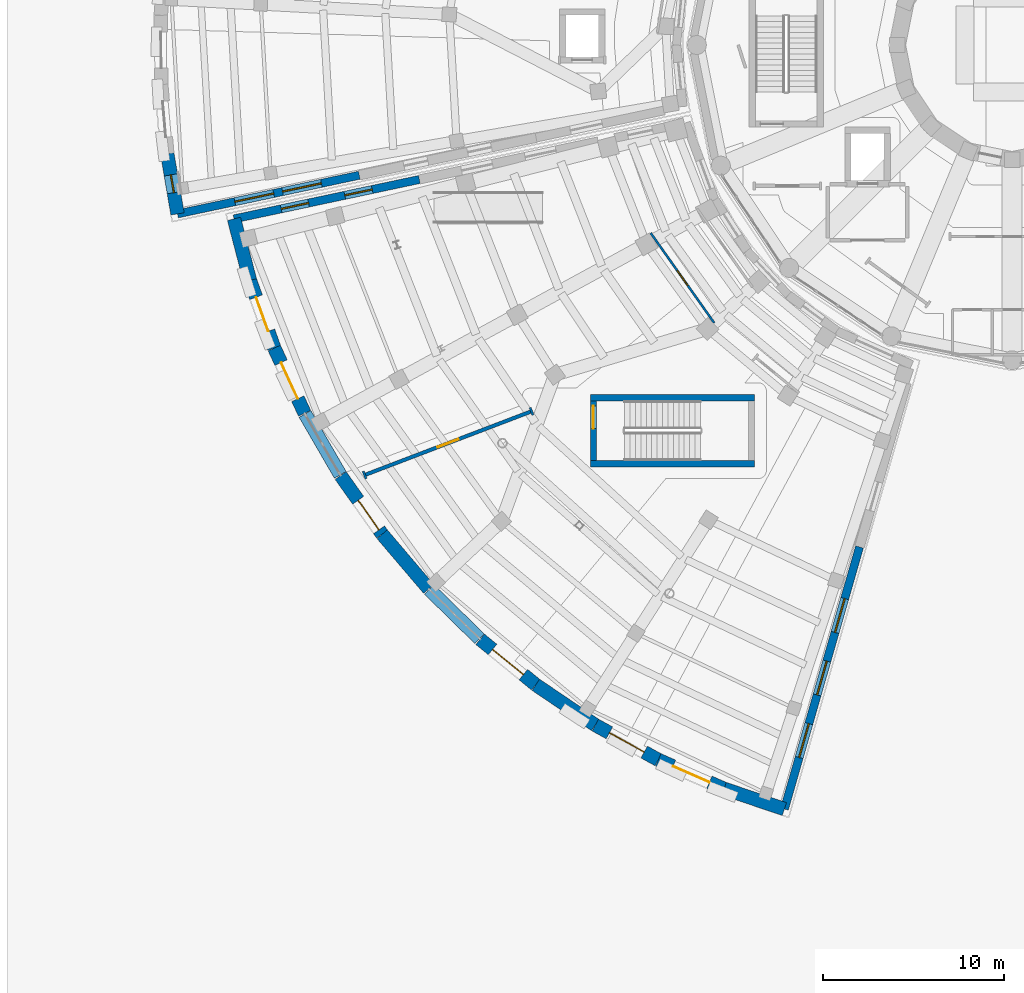
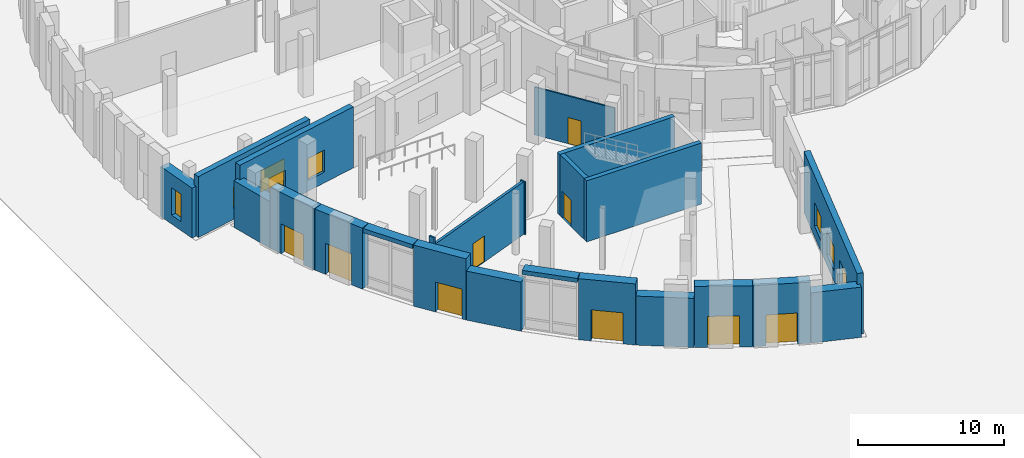
# One storey, part 41 of 74: 23 walls, 9 doors, 8 windows, 17 openings.
"""IFC4 building model written with IfcOpenShell, lengths in metres."""

from ifc_helpers import new_model, si_unit, direction, frame, frame_2d, origin, place, context, subcontext, project, spatial, rectangle, extrude, material, layer, layer_set, type_object, element, fill, save


model = new_model("IFC4")

# Units and contexts
model_context = context("Model", 3, precision=1e-05, world=origin(), true_north=direction((0.0, 1.0)))
body_context = subcontext(model_context, "Body", "Model", "MODEL_VIEW")
ifc_project = project(units=[si_unit("LENGTHUNIT", "METRE"), si_unit("AREAUNIT", "SQUARE_METRE"), si_unit("VOLUMEUNIT", "CUBIC_METRE"), si_unit("PLANEANGLEUNIT", "RADIAN"), si_unit("MASSUNIT", "GRAM", prefix="KILO")], contexts=[model_context])

# Site, building, storey
site_placement = place(None, origin())
site = spatial("IfcSite", under=ifc_project, at=site_placement, CompositionType="ELEMENT")
building_placement = place(site_placement, origin())
building = spatial("IfcBuilding", under=site, at=building_placement, Name="Soyqirgoq Riverine Aquarium", CompositionType="ELEMENT")
storey_placement = place(building_placement, origin())
storey = spatial("IfcBuildingStorey", under=building, at=storey_placement, Name="L01", CompositionType="ELEMENT", Elevation=0.0)

# Walls
ifc_material_1 = material(Name="Concrete C40/50", Category="concrete")
ifc_layer_1 = layer(ifc_material_1, 0.35009765625)
ifc_layer_set_1 = layer_set([ifc_layer_1], Name="Concrete C40/50")
wall_type_1 = type_object("IfcWallType", Name="CoreShearWall_350_C40", PredefinedType="SHEAR", material=ifc_layer_set_1)
for number, where, z_axis, x_axis, name in (
    (1, (32.64990234375, 33.824951171875, 0.0), (0.0, 0.0, 1.0), (1.0, 0.0, 0.0), "CORE-2 L01 Stair Core Shear Wall SIDE1"),
    (2, (41.75, 37.47509765625, 0.0), (0.0, 0.0, 1.0), (-1.0, 0.0, 0.0), "CORE-2 L01 Stair Core Shear Wall SIDE2"),
):
    element("IfcWall", number, at=place(storey_placement, frame(where, z_axis=z_axis, x_axis=x_axis)), inside=storey, type_object=wall_type_1, Name=name, PredefinedType="SHEAR", context=body_context, shape_type="SweptSolid", body=[
        extrude(rectangle(XDim=9.10009765625, YDim=0.35009765625, at=frame_2d((4.550048828125, 0.0))), origin(), (0.0, 0.0, 1.0), 5.1201171875),
    ])

# Wall, opening, door
wall_1_placement = place(storey_placement, frame((32.824951171875, 37.300048828125, 0.0), z_axis=(0.0, 0.0, 1.0), x_axis=(0.0, -1.0, 0.0)))
wall_1 = element("IfcWall", 3, at=wall_1_placement, inside=storey, type_object=wall_type_1, Name="CORE-2 L01 Stair Core Shear Wall FRONT", PredefinedType="SHEAR", context=body_context, shape_type="SweptSolid", body=[
    extrude(rectangle(XDim=3.300048828125, YDim=0.35009765625, at=frame_2d((1.64990234375, 0.0))), origin(), (0.0, 0.0, 1.0), 5.1201171875),
])
opening_1_placement = place(wall_1_placement, frame((0.280029296875, 0.0, 0.0)))
opening_1 = element("IfcOpeningElement", 4, at=opening_1_placement, cuts=wall_1, Name="Opening FD-01", PredefinedType="OPENING", context=body_context, shape_type="SweptSolid", body=[
    extrude(rectangle(XDim=1.25, YDim=2.199951171875, at=frame_2d((0.625, 1.10009765625))), frame((0.0, 0.18505859375, 0.0), z_axis=(0.0, -1.0, 0.0), x_axis=(1.0, 0.0, 0.0)), (0.0, 0.0, 1.0), 0.3701171875),
])
ifc_material_2 = material(Name="Galvanised steel fire-resisting stair door", Category="steel")
door_type_1 = type_object("IfcDoorType", Name="StairFireDoor_1250x2200_EI90", OperationType="NOTDEFINED", PredefinedType="DOOR", material=ifc_material_2)
door_1_placement = place(opening_1_placement, origin())
door_1 = element("IfcDoor", 5, at=door_1_placement, inside=storey, type_object=door_type_1, Name="DR-ST-2-L01 ST-2 L01 Fire-Rated Stairwell Door", OperationType="SINGLE_SWING_RIGHT", OverallHeight=2.199951171875, OverallWidth=1.25, PredefinedType="DOOR", context=body_context, shape_type="SweptSolid", body=[
    extrude(rectangle(XDim=1.25, YDim=2.199951171875, at=frame_2d((0.625, 1.10009765625))), frame((0.0, 0.02490234375, 0.0), z_axis=(0.0, -1.0, 0.0), x_axis=(1.0, 0.0, 0.0)), (0.0, 0.0, 1.0), 0.050048828125),
])
fill(opening_1, door_1)

ifc_material_3 = material(Name="Lightweight steel-stud gypsum partition", Category="steel")
ifc_layer_2 = layer(ifc_material_3, 0.1201171875)
ifc_layer_set_2 = layer_set([ifc_layer_2], Name="Lightweight steel-stud gypsum partition")
wall_type_2 = type_object("IfcWallType", Name="PartitionWall_120_Std", PredefinedType="PARTITIONING", material=ifc_layer_set_2)
wall_2_placement = place(storey_placement, frame((35.997802734375, 46.587646484375, 0.0), z_axis=(0.0, 0.0, 1.0), x_axis=(0.577152747175, -0.816636214253, 0.0)))
wall_2 = element("IfcWall", 6, at=wall_2_placement, inside=storey, type_object=wall_type_2, Name="V2 Gallery Circulation Corridor Partition Wall", PredefinedType="PARTITIONING", context=body_context, shape_type="SweptSolid", body=[
    extrude(rectangle(XDim=6.08203125, YDim=0.1201171875, at=frame_2d((3.041015625, 0.0))), origin(), (0.0, 0.0, 1.0), 4.010009765625),
])
opening_2_placement = place(wall_2_placement, frame((2.541015625, 0.0, 0.0)))
opening_2 = element("IfcOpeningElement", 7, at=opening_2_placement, cuts=wall_2, Name="Opening ID-03", PredefinedType="OPENING", context=body_context, shape_type="SweptSolid", body=[
    extrude(rectangle(XDim=1.0, YDim=2.199951171875, at=frame_2d((0.5, 1.10009765625))), frame((0.0, 0.070068359375, 0.0), z_axis=(0.0, -1.0, 0.0), x_axis=(1.0, 0.0, 0.0)), (0.0, 0.0, 1.0), 0.14013671875),
])
ifc_material_4 = material(Name="Solid-core ash veneer room door", Category="wood")
door_type_2 = type_object("IfcDoorType", Name="RoomDoor_1000x2200", OperationType="NOTDEFINED", PredefinedType="DOOR", material=ifc_material_4)
door_2_placement = place(opening_2_placement, origin())
door_2 = element("IfcDoor", 8, at=door_2_placement, inside=storey, type_object=door_type_2, Name="IDR-V2-L01-0081 V2 Gallery Circulation Corridor Door", OperationType="SINGLE_SWING_LEFT", OverallHeight=2.199951171875, OverallWidth=1.0, PredefinedType="DOOR", context=body_context, shape_type="SweptSolid", body=[
    extrude(rectangle(XDim=1.0, YDim=2.199951171875, at=frame_2d((0.5, 1.10009765625))), frame((0.0, 0.02490234375, 0.0), z_axis=(0.0, -1.0, 0.0), x_axis=(1.0, 0.0, 0.0)), (0.0, 0.0, 1.0), 0.050048828125),
])
fill(opening_2, door_2)

# Walls
wall_3_placement = place(storey_placement, frame((29.321533203125, 36.92919921875, 0.0), z_axis=(0.0, 0.0, 1.0), x_axis=(0.356710368782, -0.934215024929, 0.0)))
element("IfcWall", 9, at=wall_3_placement, inside=storey, type_object=wall_type_2, Name="V2 L01 Jamb Return Pier", PredefinedType="PARTITIONING", context=body_context, shape_type="SweptSolid", body=[
    extrude(rectangle(XDim=0.440185546875, YDim=0.1201171875, at=frame_2d((0.22021484375, 0.0))), origin(), (0.0, 0.0, 1.0), 4.409912109375),
])
wall_4_placement = place(storey_placement, frame((20.08349609375, 33.402099609375, 0.0), z_axis=(0.0, 0.0, 1.0), x_axis=(0.356710368782, -0.934215024929, 0.0)))
element("IfcWall", 10, at=wall_4_placement, inside=storey, type_object=wall_type_2, Name="V2 L01 Jamb Return Pier", PredefinedType="PARTITIONING", context=body_context, shape_type="SweptSolid", body=[
    extrude(rectangle(XDim=0.440185546875, YDim=0.1201171875, at=frame_2d((0.22021484375, 0.0))), origin(), (0.0, 0.0, 1.0), 5.1201171875),
])

# Wall, opening, door
ifc_material_5 = material(Name="Fire-rated calcium silicate twin-stud partition", Category="gypsum")
ifc_layer_3 = layer(ifc_material_5, 0.199951171875)
ifc_layer_set_3 = layer_set([ifc_layer_3], Name="Fire-rated calcium silicate twin-stud partition")
wall_type_3 = type_object("IfcWallType", Name="PartitionWall_200_EI90", PredefinedType="PARTITIONING", material=ifc_layer_set_3)
wall_5_placement = place(storey_placement, frame((29.39990234375, 36.7236328125, 0.0), z_axis=(0.0, 0.0, 1.0), x_axis=(-0.934220330877, -0.356696472334, 0.0)))
wall_5 = element("IfcWall", 11, at=wall_5_placement, inside=storey, type_object=wall_type_3, Name="Lift and Stair Lobby ST-2 and Protected Exit Passageway Fire Enclosure Wall", PredefinedType="PARTITIONING", context=body_context, shape_type="SweptSolid", body=[
    extrude(rectangle(XDim=9.88818359375, YDim=0.199951171875, at=frame_2d((4.944091796875, 0.0))), origin(), (0.0, 0.0, 1.0), 4.409912109375),
])
opening_3_placement = place(wall_5_placement, frame((4.319091796875, 0.0, 0.0)))
opening_3 = element("IfcOpeningElement", 12, at=opening_3_placement, cuts=wall_5, Name="Opening FD-01", PredefinedType="OPENING", context=body_context, shape_type="SweptSolid", body=[
    extrude(rectangle(XDim=1.25, YDim=2.199951171875, at=frame_2d((0.625, 1.10009765625))), frame((0.0, 0.10986328125, 0.0), z_axis=(0.0, -1.0, 0.0), x_axis=(1.0, 0.0, 0.0)), (0.0, 0.0, 1.0), 0.219970703125),
])
door_3_placement = place(opening_3_placement, origin())
door_3 = element("IfcDoor", 13, at=door_3_placement, inside=storey, type_object=door_type_1, Name="IDR-V2-L01-0080 Lift and Stair Lobby ST-2 and Protected Exit Passageway Egress Fire Door", OperationType="SINGLE_SWING_LEFT", OverallHeight=2.199951171875, OverallWidth=1.25, PredefinedType="DOOR", context=body_context, shape_type="SweptSolid", body=[
    extrude(rectangle(XDim=1.25, YDim=2.199951171875, at=frame_2d((0.625, 1.10009765625))), frame((0.0, 0.02490234375, 0.0), z_axis=(0.0, -1.0, 0.0), x_axis=(1.0, 0.0, 0.0)), (0.0, 0.0, 1.0), 0.050048828125),
])
fill(opening_3, door_3)

# Wall, openings, windows
ifc_material_6 = material(Name="Honed travertine limestone cavity wall", Category="masonry")
ifc_layer_4 = layer(ifc_material_6, 0.449951171875)
ifc_layer_set_4 = layer_set([ifc_layer_4], Name="Honed travertine limestone cavity wall")
wall_type_4 = type_object("IfcWallType", Name="TravertineCavityWall_450", PredefinedType="SOLIDWALL", material=ifc_layer_set_4)
wall_6_placement = place(storey_placement, frame((47.55419921875, 29.214599609375, 0.0), z_axis=(0.0, 0.0, 1.0), x_axis=(-0.275641876593, -0.961260399615, 0.0)))
wall_6 = element("IfcWall", 14, at=wall_6_placement, inside=storey, type_object=wall_type_4, Name="V2 L01 Exterior Travertine Wall 0057", PredefinedType="SOLIDWALL", context=body_context, shape_type="SweptSolid", body=[
    extrude(rectangle(XDim=15.091796875, YDim=0.449951171875, at=frame_2d((7.5458984375, 0.0))), origin(), (0.0, 0.0, 1.0), 5.1201171875),
])
opening_4_placement = place(wall_6_placement, frame((2.970947265625, 0.0, 0.89990234375)))
opening_4 = element("IfcOpeningElement", 15, at=opening_4_placement, cuts=wall_6, Name="Opening WN-14", PredefinedType="OPENING", context=body_context, shape_type="SweptSolid", body=[
    extrude(rectangle(XDim=1.949951171875, YDim=2.0, at=frame_2d((0.97509765625, 1.0))), frame((0.0, 0.23486328125, 0.0), z_axis=(0.0, -1.0, 0.0), x_axis=(1.0, 0.0, 0.0)), (0.0, 0.0, 1.0), 0.469970703125),
])
opening_5_placement = place(wall_6_placement, frame((6.57080078125, 0.0, 0.89990234375)))
opening_5 = element("IfcOpeningElement", 16, at=opening_5_placement, cuts=wall_6, Name="Opening WN-14", PredefinedType="OPENING", context=body_context, shape_type="SweptSolid", body=[
    extrude(rectangle(XDim=1.949951171875, YDim=2.0, at=frame_2d((0.97509765625, 1.0))), frame((0.0, 0.23486328125, 0.0), z_axis=(0.0, -1.0, 0.0), x_axis=(1.0, 0.0, 0.0)), (0.0, 0.0, 1.0), 0.469970703125),
])
opening_6_placement = place(wall_6_placement, frame((10.1708984375, 0.0, 0.89990234375)))
opening_6 = element("IfcOpeningElement", 17, at=opening_6_placement, cuts=wall_6, Name="Opening WN-14", PredefinedType="OPENING", context=body_context, shape_type="SweptSolid", body=[
    extrude(rectangle(XDim=1.949951171875, YDim=2.0, at=frame_2d((0.97509765625, 1.0))), frame((0.0, 0.23486328125, 0.0), z_axis=(0.0, -1.0, 0.0), x_axis=(1.0, 0.0, 0.0)), (0.0, 0.0, 1.0), 0.469970703125),
])
ifc_material_7 = material(Name="Thermally broken aluminium triple low-E window", Category="aluminium")
window_type_1 = type_object("IfcWindowType", Name="Win_Gallery_1950x2000", PartitioningType="DOUBLE_PANEL_VERTICAL", PredefinedType="WINDOW", material=ifc_material_7)
window_1_placement = place(opening_4_placement, origin())
window_1 = element("IfcWindow", 18, at=window_1_placement, inside=storey, type_object=window_type_1, Name="V2 L01 Facade Window 0027", OverallHeight=2.0, OverallWidth=1.949951171875, PartitioningType="DOUBLE_PANEL_VERTICAL", PredefinedType="WINDOW", context=body_context, shape_type="SweptSolid", body=[
    extrude(rectangle(XDim=1.949951171875, YDim=2.0, at=frame_2d((0.97509765625, 1.0))), frame((0.0, 0.030029296875, 0.0), z_axis=(0.0, -1.0, 0.0), x_axis=(1.0, 0.0, 0.0)), (0.0, 0.0, 1.0), 0.06005859375),
])
fill(opening_4, window_1)
window_2_placement = place(opening_5_placement, origin())
window_2 = element("IfcWindow", 19, at=window_2_placement, inside=storey, type_object=window_type_1, Name="V2 L01 Facade Window 0028", OverallHeight=2.0, OverallWidth=1.949951171875, PartitioningType="DOUBLE_PANEL_VERTICAL", PredefinedType="WINDOW", context=body_context, shape_type="SweptSolid", body=[
    extrude(rectangle(XDim=1.949951171875, YDim=2.0, at=frame_2d((0.97509765625, 1.0))), frame((0.0, 0.030029296875, 0.0), z_axis=(0.0, -1.0, 0.0), x_axis=(1.0, 0.0, 0.0)), (0.0, 0.0, 1.0), 0.06005859375),
])
fill(opening_5, window_2)
window_3_placement = place(opening_6_placement, origin())
window_3 = element("IfcWindow", 20, at=window_3_placement, inside=storey, type_object=window_type_1, Name="V2 L01 Facade Window 0029", OverallHeight=2.0, OverallWidth=1.949951171875, PartitioningType="DOUBLE_PANEL_VERTICAL", PredefinedType="WINDOW", context=body_context, shape_type="SweptSolid", body=[
    extrude(rectangle(XDim=1.949951171875, YDim=2.0, at=frame_2d((0.97509765625, 1.0))), frame((0.0, 0.030029296875, 0.0), z_axis=(0.0, -1.0, 0.0), x_axis=(1.0, 0.0, 0.0)), (0.0, 0.0, 1.0), 0.06005859375),
])
fill(opening_6, window_3)

wall_7_placement = place(storey_placement, frame((12.930908203125, 47.375244140625, 0.0), z_axis=(0.0, 0.0, 1.0), x_axis=(0.978149561412, 0.207902466336, 0.0)))
wall_7 = element("IfcWall", 21, at=wall_7_placement, inside=storey, type_object=wall_type_4, Name="V2 L01 Exterior Travertine Wall 0070", PredefinedType="SOLIDWALL", context=body_context, shape_type="SweptSolid", body=[
    extrude(rectangle(XDim=10.48779296875, YDim=0.449951171875, at=frame_2d((5.243896484375, 0.0))), origin(), (0.0, 0.0, 1.0), 5.1201171875),
])
opening_7_placement = place(wall_7_placement, frame((2.668701171875, 0.0, 0.89990234375)))
opening_7 = element("IfcOpeningElement", 22, at=opening_7_placement, cuts=wall_7, Name="Opening WN-18", PredefinedType="OPENING", context=body_context, shape_type="SweptSolid", body=[
    extrude(rectangle(XDim=1.550048828125, YDim=1.85009765625, at=frame_2d((0.77490234375, 0.925048828125))), frame((0.0, 0.23486328125, 0.0), z_axis=(0.0, -1.0, 0.0), x_axis=(1.0, 0.0, 0.0)), (0.0, 0.0, 1.0), 0.469970703125),
])
opening_8_placement = place(wall_7_placement, frame((6.268798828125, 0.0, 0.89990234375)))
opening_8 = element("IfcOpeningElement", 23, at=opening_8_placement, cuts=wall_7, Name="Opening WN-18", PredefinedType="OPENING", context=body_context, shape_type="SweptSolid", body=[
    extrude(rectangle(XDim=1.550048828125, YDim=1.85009765625, at=frame_2d((0.77490234375, 0.925048828125))), frame((0.0, 0.23486328125, 0.0), z_axis=(0.0, -1.0, 0.0), x_axis=(1.0, 0.0, 0.0)), (0.0, 0.0, 1.0), 0.469970703125),
])
ifc_material_8 = material(Name="Thermally broken aluminium triple low-E window", Category="aluminium")
window_type_2 = type_object("IfcWindowType", Name="Win_Office_1550x1850", PartitioningType="DOUBLE_PANEL_VERTICAL", PredefinedType="WINDOW", material=ifc_material_8)
window_4_placement = place(opening_7_placement, origin())
window_4 = element("IfcWindow", 24, at=window_4_placement, inside=storey, type_object=window_type_2, Name="V2 L01 Facade Window 0030", OverallHeight=1.85009765625, OverallWidth=1.550048828125, PartitioningType="DOUBLE_PANEL_VERTICAL", PredefinedType="WINDOW", context=body_context, shape_type="SweptSolid", body=[
    extrude(rectangle(XDim=1.550048828125, YDim=1.85009765625, at=frame_2d((0.77490234375, 0.925048828125))), frame((0.0, 0.030029296875, 0.0), z_axis=(0.0, -1.0, 0.0), x_axis=(1.0, 0.0, 0.0)), (0.0, 0.0, 1.0), 0.06005859375),
])
fill(opening_7, window_4)
window_5_placement = place(opening_8_placement, origin())
window_5 = element("IfcWindow", 25, at=window_5_placement, inside=storey, type_object=window_type_2, Name="V2 L01 Facade Window 0031", OverallHeight=1.85009765625, OverallWidth=1.550048828125, PartitioningType="DOUBLE_PANEL_VERTICAL", PredefinedType="WINDOW", context=body_context, shape_type="SweptSolid", body=[
    extrude(rectangle(XDim=1.550048828125, YDim=1.85009765625, at=frame_2d((0.77490234375, 0.925048828125))), frame((0.0, 0.030029296875, 0.0), z_axis=(0.0, -1.0, 0.0), x_axis=(1.0, 0.0, 0.0)), (0.0, 0.0, 1.0), 0.06005859375),
])
fill(opening_8, window_5)

wall_8_placement = place(storey_placement, frame((19.8671875, 49.7900390625, 0.0), z_axis=(0.0, 0.0, 1.0), x_axis=(-0.978147632512, -0.207911541315, 0.0)))
wall_8 = element("IfcWall", 26, at=wall_8_placement, inside=storey, type_object=wall_type_4, Name="V3 L01 Exterior Travertine Wall 0099", PredefinedType="SOLIDWALL", context=body_context, shape_type="SweptSolid", body=[
    extrude(rectangle(XDim=10.288818359375, YDim=0.449951171875, at=frame_2d((5.14453125, 0.0))), origin(), (0.0, 0.0, 1.0), 5.10009765625),
])
opening_9_placement = place(wall_8_placement, frame((2.144287109375, 0.0, 0.89990234375)))
opening_9 = element("IfcOpeningElement", 27, at=opening_9_placement, cuts=wall_8, Name="Opening WN-09", PredefinedType="OPENING", context=body_context, shape_type="SweptSolid", body=[
    extrude(rectangle(XDim=2.199951171875, YDim=1.800048828125, at=frame_2d((1.10009765625, 0.89990234375))), frame((0.0, 0.23486328125, 0.0), z_axis=(0.0, -1.0, 0.0), x_axis=(1.0, 0.0, 0.0)), (0.0, 0.0, 1.0), 0.469970703125),
])
opening_10_placement = place(wall_8_placement, frame((4.84423828125, 0.0, 0.89990234375)))
opening_10 = element("IfcOpeningElement", 28, at=opening_10_placement, cuts=wall_8, Name="Opening WN-09", PredefinedType="OPENING", context=body_context, shape_type="SweptSolid", body=[
    extrude(rectangle(XDim=2.199951171875, YDim=1.800048828125, at=frame_2d((1.10009765625, 0.89990234375))), frame((0.0, 0.23486328125, 0.0), z_axis=(0.0, -1.0, 0.0), x_axis=(1.0, 0.0, 0.0)), (0.0, 0.0, 1.0), 0.469970703125),
])
ifc_material_9 = material(Name="Thermally broken aluminium triple low-E window", Category="aluminium")
window_type_3 = type_object("IfcWindowType", Name="Win_Office_2200x1800", PartitioningType="TRIPLE_PANEL_VERTICAL", PredefinedType="WINDOW", material=ifc_material_9)
window_6_placement = place(opening_9_placement, origin())
window_6 = element("IfcWindow", 29, at=window_6_placement, inside=storey, type_object=window_type_3, Name="V3 L01 Facade Window 0066", OverallHeight=1.800048828125, OverallWidth=2.199951171875, PartitioningType="TRIPLE_PANEL_VERTICAL", PredefinedType="WINDOW", context=body_context, shape_type="SweptSolid", body=[
    extrude(rectangle(XDim=2.199951171875, YDim=1.800048828125, at=frame_2d((1.10009765625, 0.89990234375))), frame((0.0, 0.030029296875, 0.0), z_axis=(0.0, -1.0, 0.0), x_axis=(1.0, 0.0, 0.0)), (0.0, 0.0, 1.0), 0.06005859375),
])
fill(opening_9, window_6)
window_7_placement = place(opening_10_placement, origin())
window_7 = element("IfcWindow", 30, at=window_7_placement, inside=storey, type_object=window_type_3, Name="V3 L01 Facade Window 0067", OverallHeight=1.800048828125, OverallWidth=2.199951171875, PartitioningType="TRIPLE_PANEL_VERTICAL", PredefinedType="WINDOW", context=body_context, shape_type="SweptSolid", body=[
    extrude(rectangle(XDim=2.199951171875, YDim=1.800048828125, at=frame_2d((1.10009765625, 0.89990234375))), frame((0.0, 0.030029296875, 0.0), z_axis=(0.0, -1.0, 0.0), x_axis=(1.0, 0.0, 0.0)), (0.0, 0.0, 1.0), 0.06005859375),
])
fill(opening_10, window_7)

# Wall
ifc_material_10 = material(Name="Honed travertine limestone cavity wall", Category="masonry")
ifc_layer_5 = layer(ifc_material_10, 0.75)
ifc_layer_set_5 = layer_set([ifc_layer_5], Name="Honed travertine limestone cavity wall")
wall_type_5 = type_object("IfcWallType", Name="TravertineNicheWall_750", PredefinedType="SOLIDWALL", material=ifc_layer_set_5)
wall_9_placement = place(storey_placement, frame((43.394287109375, 14.70751953125, 0.0), z_axis=(0.0, 0.0, 1.0), x_axis=(-0.947882515085, 0.318620052092, 0.0)))
element("IfcWall", 31, at=wall_9_placement, inside=storey, type_object=wall_type_5, Name="V2 L01 Exterior Travertine Wall 0058", PredefinedType="SOLIDWALL", context=body_context, shape_type="SweptSolid", body=[
    extrude(rectangle(XDim=3.519287109375, YDim=0.75, at=frame_2d((1.759765625, 0.0))), origin(), (0.0, 0.0, 1.0), 4.2099609375),
])

# Wall, opening, door
wall_10_placement = place(storey_placement, frame((40.058349609375, 15.828857421875, 0.0), z_axis=(0.0, 0.0, 1.0), x_axis=(-0.915297845702, 0.402777672735, 0.0)))
wall_10 = element("IfcWall", 32, at=wall_10_placement, inside=storey, type_object=wall_type_5, Name="V2 L01 Exterior Travertine Wall 0059", PredefinedType="SOLIDWALL", context=body_context, shape_type="SweptSolid", body=[
    extrude(rectangle(XDim=3.97998046875, YDim=0.75, at=frame_2d((1.989990234375, 0.0))), origin(), (0.0, 0.0, 1.0), 5.1201171875),
])
opening_11_placement = place(wall_10_placement, frame((0.889892578125, 0.0, 0.0)))
opening_11 = element("IfcOpeningElement", 33, at=opening_11_placement, cuts=wall_10, Name="Opening ED-02", PredefinedType="OPENING", context=body_context, shape_type="SweptSolid", body=[
    extrude(rectangle(XDim=2.199951171875, YDim=2.60009765625, at=frame_2d((1.10009765625, 1.300048828125))), frame((0.0, 0.385009765625, 0.0), z_axis=(0.0, -1.0, 0.0), x_axis=(1.0, 0.0, 0.0)), (0.0, 0.0, 1.0), 0.77001953125),
])
ifc_material_11 = material(Name="Anodised aluminium glazed entrance door", Category="aluminium")
door_type_3 = type_object("IfcDoorType", Name="ExitDoubleDoor_2200x2600", OperationType="DOUBLE_DOOR_SINGLE_SWING", PredefinedType="DOOR", material=ifc_material_11)
door_4_placement = place(opening_11_placement, origin())
door_4 = element("IfcDoor", 34, at=door_4_placement, inside=storey, type_object=door_type_3, Name="EDR-V2-L01-01 V2 L01 Grade Pedestrian Exit Discharge Door 01", OperationType="DOUBLE_DOOR_SINGLE_SWING", OverallHeight=2.60009765625, OverallWidth=2.199951171875, PredefinedType="DOOR", context=body_context, shape_type="SweptSolid", body=[
    extrude(rectangle(XDim=2.199951171875, YDim=2.60009765625, at=frame_2d((1.10009765625, 1.300048828125))), frame((0.0, 0.02490234375, 0.0), z_axis=(0.0, -1.0, 0.0), x_axis=(1.0, 0.0, 0.0)), (0.0, 0.0, 1.0), 0.050048828125),
])
fill(opening_11, door_4)

wall_11_placement = place(storey_placement, frame((36.41552734375, 17.431884765625, 0.0), z_axis=(0.0, 0.0, 1.0), x_axis=(-0.875332414788, 0.483521626839, 0.0)))
wall_11 = element("IfcWall", 35, at=wall_11_placement, inside=storey, type_object=wall_type_5, Name="V2 L01 Exterior Travertine Wall 0060", PredefinedType="SOLIDWALL", context=body_context, shape_type="SweptSolid", body=[
    extrude(rectangle(XDim=3.979736328125, YDim=0.75, at=frame_2d((1.98974609375, 0.0))), origin(), (0.0, 0.0, 1.0), 5.1201171875),
])
opening_12_placement = place(wall_11_placement, frame((0.889892578125, 0.0, 0.0)))
opening_12 = element("IfcOpeningElement", 36, at=opening_12_placement, cuts=wall_11, Name="Opening ED-02", PredefinedType="OPENING", context=body_context, shape_type="SweptSolid", body=[
    extrude(rectangle(XDim=2.199951171875, YDim=2.60009765625, at=frame_2d((1.10009765625, 1.300048828125))), frame((0.0, 0.385009765625, 0.0), z_axis=(0.0, -1.0, 0.0), x_axis=(1.0, 0.0, 0.0)), (0.0, 0.0, 1.0), 0.77001953125),
])
door_5_placement = place(opening_12_placement, origin())
door_5 = element("IfcDoor", 37, at=door_5_placement, inside=storey, type_object=door_type_3, Name="EDR-V2-L01-02 V2 L01 Grade Pedestrian Exit Discharge Door 02", OperationType="DOUBLE_DOOR_SINGLE_SWING", OverallHeight=2.60009765625, OverallWidth=2.199951171875, PredefinedType="DOOR", context=body_context, shape_type="SweptSolid", body=[
    extrude(rectangle(XDim=2.199951171875, YDim=2.60009765625, at=frame_2d((1.10009765625, 1.300048828125))), frame((0.0, 0.02490234375, 0.0), z_axis=(0.0, -1.0, 0.0), x_axis=(1.0, 0.0, 0.0)), (0.0, 0.0, 1.0), 0.050048828125),
])
fill(opening_12, door_5)

# Wall
wall_12_placement = place(storey_placement, frame((32.931884765625, 19.356201171875, 0.0), z_axis=(0.0, 0.0, 1.0), x_axis=(-0.828246569426, 0.560363828448, 0.0)))
element("IfcWall", 38, at=wall_12_placement, inside=storey, type_object=wall_type_5, Name="V2 L01 Exterior Travertine Wall 0061", PredefinedType="SOLIDWALL", context=body_context, shape_type="SweptSolid", body=[
    extrude(rectangle(XDim=3.97998046875, YDim=0.75, at=frame_2d((1.989990234375, 0.0))), origin(), (0.0, 0.0, 1.0), 4.110107421875),
])

# Wall, opening, door
wall_13_placement = place(storey_placement, frame((29.635498046875, 21.58642578125, 0.0), z_axis=(0.0, 0.0, 1.0), x_axis=(-0.77437531836, 0.632726533595, 0.0)))
wall_13 = element("IfcWall", 39, at=wall_13_placement, inside=storey, type_object=wall_type_5, Name="V2 L01 Exterior Travertine Wall 0062", PredefinedType="SOLIDWALL", context=body_context, shape_type="SweptSolid", body=[
    extrude(rectangle(XDim=3.979736328125, YDim=0.75, at=frame_2d((1.98974609375, 0.0))), origin(), (0.0, 0.0, 1.0), 5.1201171875),
])
opening_13_placement = place(wall_13_placement, frame((0.889892578125, 0.0, 0.0)))
opening_13 = element("IfcOpeningElement", 40, at=opening_13_placement, cuts=wall_13, Name="Opening ED-02", PredefinedType="OPENING", context=body_context, shape_type="SweptSolid", body=[
    extrude(rectangle(XDim=2.199951171875, YDim=2.60009765625, at=frame_2d((1.10009765625, 1.300048828125))), frame((0.0, 0.385009765625, 0.0), z_axis=(0.0, -1.0, 0.0), x_axis=(1.0, 0.0, 0.0)), (0.0, 0.0, 1.0), 0.77001953125),
])
door_6_placement = place(opening_13_placement, origin())
door_6 = element("IfcDoor", 41, at=door_6_placement, inside=storey, type_object=door_type_3, Name="EDR-V2-L01-03 V2 L01 Grade Pedestrian Exit Discharge Door 03", OperationType="DOUBLE_DOOR_SINGLE_SWING", OverallHeight=2.60009765625, OverallWidth=2.199951171875, PredefinedType="DOOR", context=body_context, shape_type="SweptSolid", body=[
    extrude(rectangle(XDim=2.199951171875, YDim=2.60009765625, at=frame_2d((1.10009765625, 1.300048828125))), frame((0.0, 0.02490234375, 0.0), z_axis=(0.0, -1.0, 0.0), x_axis=(1.0, 0.0, 0.0)), (0.0, 0.0, 1.0), 0.050048828125),
])
fill(opening_13, door_6)

# Walls
wall_14_placement = place(storey_placement, frame((26.525146484375, 24.132568359375, 4.77001953125), z_axis=(0.0, 0.0, 1.0), x_axis=(-0.714269165584, 0.699871101773, 0.0)))
element("IfcWall", 42, at=wall_14_placement, inside=storey, type_object=wall_type_5, Name="V2 L01 Exterior Travertine Wall 0063", PredefinedType="SOLIDWALL", context=body_context, shape_type="SweptSolid", body=[
    extrude(rectangle(XDim=3.89990234375, YDim=0.75, at=frame_2d((1.949951171875, 0.0))), origin(), (0.0, 0.0, 1.0), 0.35009765625),
])
wall_15_placement = place(storey_placement, frame((23.7109375, 26.889892578125, 0.0), z_axis=(0.0, 0.0, 1.0), x_axis=(-0.648317673159, 0.761369945998, 0.0)))
element("IfcWall", 43, at=wall_15_placement, inside=storey, type_object=wall_type_5, Name="V2 L01 Exterior Travertine Wall 0064", PredefinedType="SOLIDWALL", context=body_context, shape_type="SweptSolid", body=[
    extrude(rectangle(XDim=3.97998046875, YDim=0.75, at=frame_2d((1.989990234375, 0.0))), origin(), (0.0, 0.0, 1.0), 4.110107421875),
])

# Wall, opening, door
wall_16_placement = place(storey_placement, frame((21.130615234375, 29.920166015625, 0.0), z_axis=(0.0, 0.0, 1.0), x_axis=(-0.57714553978, 0.816641307988, 0.0)))
wall_16 = element("IfcWall", 44, at=wall_16_placement, inside=storey, type_object=wall_type_5, Name="V2 L01 Exterior Travertine Wall 0065", PredefinedType="SOLIDWALL", context=body_context, shape_type="SweptSolid", body=[
    extrude(rectangle(XDim=3.979736328125, YDim=0.75, at=frame_2d((1.98974609375, 0.0))), origin(), (0.0, 0.0, 1.0), 5.1201171875),
])
opening_14_placement = place(wall_16_placement, frame((0.300048828125, 0.0, 0.0)))
opening_14 = element("IfcOpeningElement", 45, at=opening_14_placement, cuts=wall_16, Name="Opening ED-01", PredefinedType="OPENING", context=body_context, shape_type="SweptSolid", body=[
    extrude(rectangle(XDim=2.0, YDim=2.5, at=frame_2d((1.0, 1.25))), frame((0.0, 0.385009765625, 0.0), z_axis=(0.0, -1.0, 0.0), x_axis=(1.0, 0.0, 0.0)), (0.0, 0.0, 1.0), 0.77001953125),
])
ifc_material_12 = material(Name="Anodised aluminium glazed entrance door", Category="aluminium")
door_type_4 = type_object("IfcDoorType", Name="ExitDoubleDoor_2000x2500", OperationType="DOUBLE_DOOR_SINGLE_SWING", PredefinedType="DOOR", material=ifc_material_12)
door_7_placement = place(opening_14_placement, origin())
door_7 = element("IfcDoor", 46, at=door_7_placement, inside=storey, type_object=door_type_4, Name="EDR-EXIT-ST-2-L01 V2 L01 Final Exit Discharge Door ST-2", OperationType="DOUBLE_DOOR_SINGLE_SWING", OverallHeight=2.5, OverallWidth=2.0, PredefinedType="DOOR", context=body_context, shape_type="SweptSolid", body=[
    extrude(rectangle(XDim=2.0, YDim=2.5, at=frame_2d((1.0, 1.25))), frame((0.0, 0.02490234375, 0.0), z_axis=(0.0, -1.0, 0.0), x_axis=(1.0, 0.0, 0.0)), (0.0, 0.0, 1.0), 0.050048828125),
])
fill(opening_14, door_7)

# Wall
wall_17_placement = place(storey_placement, frame((18.813720703125, 33.204833984375, 4.77001953125), z_axis=(0.0, 0.0, 1.0), x_axis=(-0.501260818579, 0.865296245085, 0.0)))
element("IfcWall", 47, at=wall_17_placement, inside=storey, type_object=wall_type_5, Name="V2 L01 Exterior Travertine Wall 0066", PredefinedType="SOLIDWALL", context=body_context, shape_type="SweptSolid", body=[
    extrude(rectangle(XDim=3.89990234375, YDim=0.75, at=frame_2d((1.949951171875, 0.0))), origin(), (0.0, 0.0, 1.0), 0.35009765625),
])

# Wall, opening, door
wall_18_placement = place(storey_placement, frame((16.8388671875, 36.614013671875, 0.0), z_axis=(0.0, 0.0, 1.0), x_axis=(-0.421313159568, 0.906915222926, 0.0)))
wall_18 = element("IfcWall", 48, at=wall_18_placement, inside=storey, type_object=wall_type_5, Name="V2 L01 Exterior Travertine Wall 0067", PredefinedType="SOLIDWALL", context=body_context, shape_type="SweptSolid", body=[
    extrude(rectangle(XDim=3.979736328125, YDim=0.75, at=frame_2d((1.98974609375, 0.0))), origin(), (0.0, 0.0, 1.0), 5.1201171875),
])
opening_15_placement = place(wall_18_placement, frame((0.889892578125, 0.0, 0.0)))
opening_15 = element("IfcOpeningElement", 49, at=opening_15_placement, cuts=wall_18, Name="Opening ED-02", PredefinedType="OPENING", context=body_context, shape_type="SweptSolid", body=[
    extrude(rectangle(XDim=2.199951171875, YDim=2.60009765625, at=frame_2d((1.10009765625, 1.300048828125))), frame((0.0, 0.385009765625, 0.0), z_axis=(0.0, -1.0, 0.0), x_axis=(1.0, 0.0, 0.0)), (0.0, 0.0, 1.0), 0.77001953125),
])
door_8_placement = place(opening_15_placement, origin())
door_8 = element("IfcDoor", 50, at=door_8_placement, inside=storey, type_object=door_type_3, Name="EDR-V2-L01-04 V2 L01 Grade Pedestrian Exit Discharge Door 04", OperationType="DOUBLE_DOOR_SINGLE_SWING", OverallHeight=2.60009765625, OverallWidth=2.199951171875, PredefinedType="DOOR", context=body_context, shape_type="SweptSolid", body=[
    extrude(rectangle(XDim=2.199951171875, YDim=2.60009765625, at=frame_2d((1.10009765625, 1.300048828125))), frame((0.0, 0.02490234375, 0.0), z_axis=(0.0, -1.0, 0.0), x_axis=(1.0, 0.0, 0.0)), (0.0, 0.0, 1.0), 0.050048828125),
])
fill(opening_15, door_8)

wall_19_placement = place(storey_placement, frame((15.162109375, 40.223388671875, 0.0), z_axis=(0.0, 0.0, 1.0), x_axis=(-0.337952536629, 0.941163154286, 0.0)))
wall_19 = element("IfcWall", 51, at=wall_19_placement, inside=storey, type_object=wall_type_5, Name="V2 L01 Exterior Travertine Wall 0068", PredefinedType="SOLIDWALL", context=body_context, shape_type="SweptSolid", body=[
    extrude(rectangle(XDim=3.979736328125, YDim=0.75, at=frame_2d((1.98974609375, 0.0))), origin(), (0.0, 0.0, 1.0), 5.1201171875),
])
opening_16_placement = place(wall_19_placement, frame((0.989990234375, 0.0, 0.0)))
opening_16 = element("IfcOpeningElement", 52, at=opening_16_placement, cuts=wall_19, Name="Opening ED-01", PredefinedType="OPENING", context=body_context, shape_type="SweptSolid", body=[
    extrude(rectangle(XDim=2.0, YDim=2.5, at=frame_2d((1.0, 1.25))), frame((0.0, 0.385009765625, 0.0), z_axis=(0.0, -1.0, 0.0), x_axis=(1.0, 0.0, 0.0)), (0.0, 0.0, 1.0), 0.77001953125),
])
door_9_placement = place(opening_16_placement, origin())
door_9 = element("IfcDoor", 53, at=door_9_placement, inside=storey, type_object=door_type_4, Name="EDR-V2-L01-05 V2 L01 Grade Pedestrian Exit Discharge Door 05", OperationType="DOUBLE_DOOR_SINGLE_SWING", OverallHeight=2.5, OverallWidth=2.0, PredefinedType="DOOR", context=body_context, shape_type="SweptSolid", body=[
    extrude(rectangle(XDim=2.0, YDim=2.5, at=frame_2d((1.0, 1.25))), frame((0.0, 0.02490234375, 0.0), z_axis=(0.0, -1.0, 0.0), x_axis=(1.0, 0.0, 0.0)), (0.0, 0.0, 1.0), 0.050048828125),
])
fill(opening_16, door_9)

# Wall
wall_20_placement = place(storey_placement, frame((13.817138671875, 43.968994140625, 0.0), z_axis=(0.0, 0.0, 1.0), x_axis=(-0.251794980931, 0.967780598885, 0.0)))
element("IfcWall", 54, at=wall_20_placement, inside=storey, type_object=wall_type_5, Name="V2 L01 Exterior Travertine Wall 0069", PredefinedType="SOLIDWALL", context=body_context, shape_type="SweptSolid", body=[
    extrude(rectangle(XDim=3.51953125, YDim=0.75, at=frame_2d((1.759765625, 0.0))), origin(), (0.0, 0.0, 1.0), 3.909912109375),
])

# Wall, opening, window
wall_21_placement = place(storey_placement, frame((9.80322265625, 47.65087890625, 0.0), z_axis=(0.0, 0.0, 1.0), x_axis=(-0.167924850396, 0.985799799462, 0.0)))
wall_21 = element("IfcWall", 55, at=wall_21_placement, inside=storey, type_object=wall_type_5, Name="V3 L01 Exterior Travertine Wall 0100", PredefinedType="SOLIDWALL", context=body_context, shape_type="SweptSolid", body=[
    extrude(rectangle(XDim=3.37890625, YDim=0.75, at=frame_2d((1.689453125, 0.0))), origin(), (0.0, 0.0, 1.0), 4.18994140625),
])
opening_17_placement = place(wall_21_placement, frame((1.189453125, 0.0, 0.75)))
opening_17 = element("IfcOpeningElement", 56, at=opening_17_placement, cuts=wall_21, Name="Opening WN-11", PredefinedType="OPENING", context=body_context, shape_type="SweptSolid", body=[
    extrude(rectangle(XDim=1.0, YDim=2.300048828125, at=frame_2d((0.5, 1.14990234375))), frame((0.0, 0.385009765625, 0.0), z_axis=(0.0, -1.0, 0.0), x_axis=(1.0, 0.0, 0.0)), (0.0, 0.0, 1.0), 0.77001953125),
])
ifc_material_13 = material(Name="Thermally broken aluminium triple low-E window", Category="aluminium")
window_type_4 = type_object("IfcWindowType", Name="Win_Niche_1000x2300", PartitioningType="SINGLE_PANEL", PredefinedType="WINDOW", material=ifc_material_13)
window_8_placement = place(opening_17_placement, origin())
window_8 = element("IfcWindow", 57, at=window_8_placement, inside=storey, type_object=window_type_4, Name="V3 L01 Facade Window 0068", OverallHeight=2.300048828125, OverallWidth=1.0, PartitioningType="SINGLE_PANEL", PredefinedType="WINDOW", context=body_context, shape_type="SweptSolid", body=[
    extrude(rectangle(XDim=1.0, YDim=2.300048828125, at=frame_2d((0.5, 1.14990234375))), frame((0.0, 0.030029296875, 0.0), z_axis=(0.0, -1.0, 0.0), x_axis=(1.0, 0.0, 0.0)), (0.0, 0.0, 1.0), 0.06005859375),
])
fill(opening_17, window_8)

save(model, "model.ifc")
